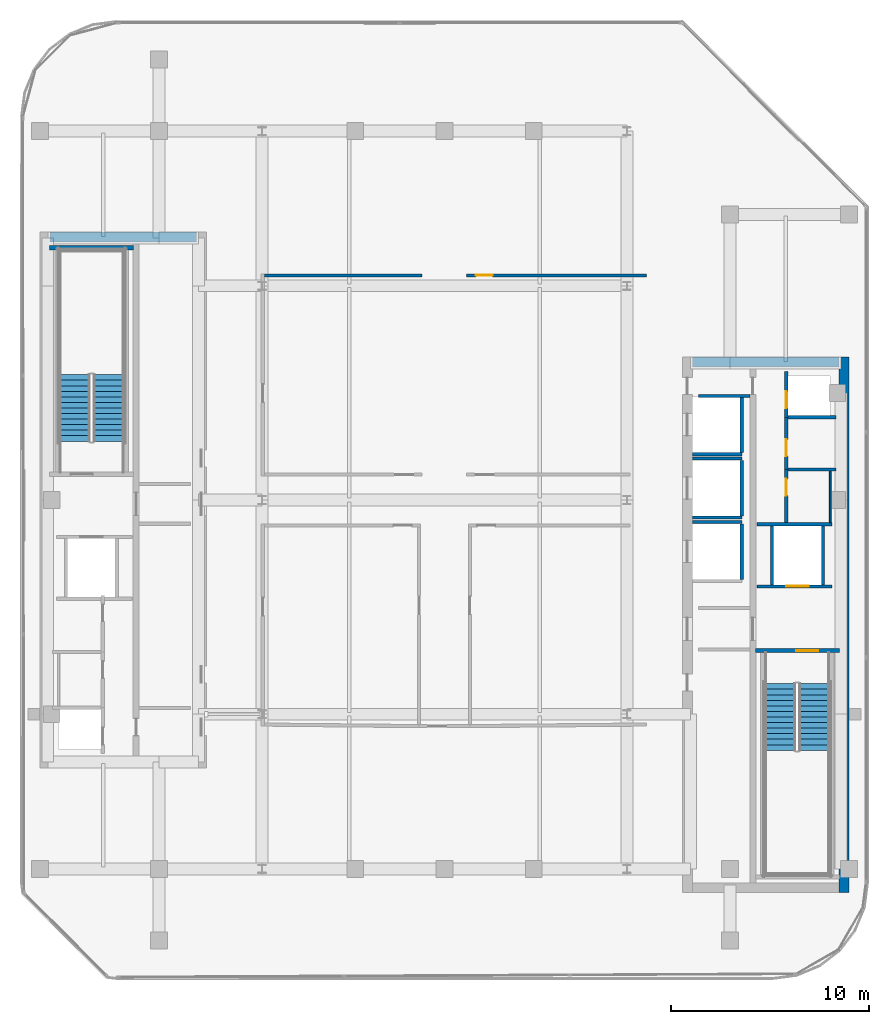
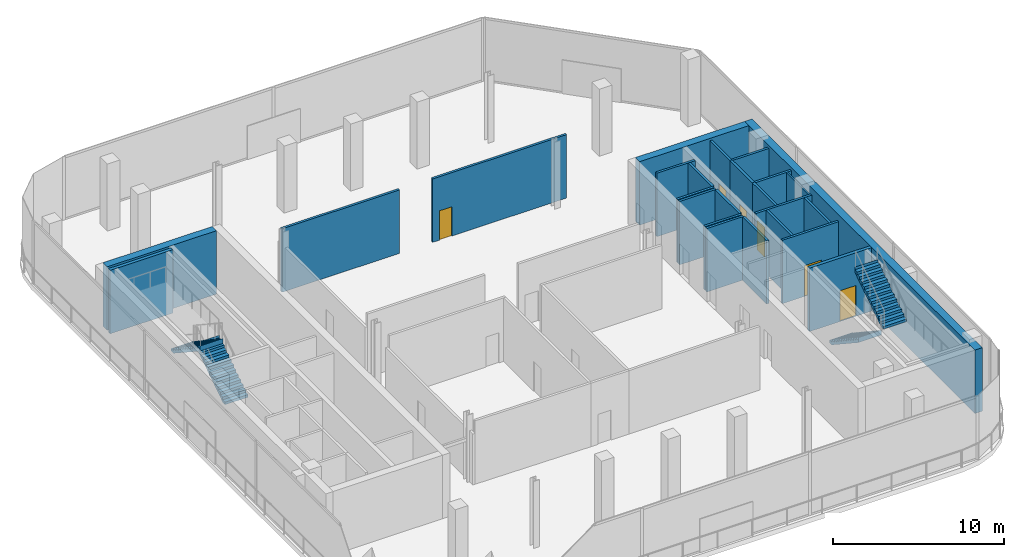
# One storey, part 4 of 13: 25 walls, 6 doors, 4 stair flights, 6 openings, 2 elements without a shape of their own.
"""IFC4 building model written with IfcOpenShell, lengths in metres."""

from ifc_helpers import new_model, si_unit, direction, frame, frame_2d, origin, place, context, subcontext, project, spatial, polyline, rectangle, outline, extrude, material, layer, layer_set, type_object, element, fill, aggregate, save


model = new_model("IFC4")

# Units and contexts
model_context = context("Model", 3, precision=1e-05, world=origin(), true_north=direction((0.0, 1.0)))
body_context = subcontext(model_context, "Body", "Model", "MODEL_VIEW")
ifc_project = project(units=[si_unit("LENGTHUNIT", "METRE"), si_unit("AREAUNIT", "SQUARE_METRE"), si_unit("VOLUMEUNIT", "CUBIC_METRE"), si_unit("PLANEANGLEUNIT", "RADIAN"), si_unit("MASSUNIT", "GRAM", prefix="KILO")], contexts=[model_context])

# Site, building, storey
site_placement = place(None, origin())
site = spatial("IfcSite", under=ifc_project, at=site_placement, CompositionType="ELEMENT")
building_placement = place(site_placement, origin())
building = spatial("IfcBuilding", under=site, at=building_placement, Name="Khairoan Windgate Tower", CompositionType="ELEMENT")
storey_placement = place(building_placement, frame((0.0, 0.0, 272.800048828125)))
storey = spatial("IfcBuildingStorey", under=building, at=storey_placement, Name="L65", CompositionType="ELEMENT", Elevation=272.800048828125)

# Walls
ifc_material_1 = material(Name="Moisture-Resistant Gypsum Partition", Category="gypsum")
ifc_layer_1 = layer(ifc_material_1, 0.10009765625, Name="Moisture-Resistant Gypsum Partition")
ifc_layer_set_1 = layer_set([ifc_layer_1], Name="Moisture-Resistant Gypsum Partition")
wall_type_1 = type_object("IfcWallType", Name="Bathroom Wet-Area Partition Wall", PredefinedType="PARTITIONING", material=ifc_layer_set_1)
wall_1_placement = place(storey_placement, frame((19.449951171875, 1.449951171875, 0.0), z_axis=(0.0, 0.0, 1.0), x_axis=(0.0, -1.0, 0.0)))
element("IfcWall", 1, at=wall_1_placement, inside=storey, type_object=wall_type_1, Name="L65 Wet Room Side Wall 025", PredefinedType="PARTITIONING", context=body_context, shape_type="SweptSolid", body=[
    extrude(rectangle(XDim=2.58984375, YDim=0.10009765625, at=frame_2d((1.294921875, 0.0))), origin(), (0.0, 0.0, 1.0), 4.5400390625),
])
ifc_material_2 = material(Name="Concrete C40/50", Category="concrete")
ifc_layer_2 = layer(ifc_material_2, 0.159912109375, Name="Concrete C40/50")
ifc_layer_set_2 = layer_set([ifc_layer_2], Name="Concrete C40/50")
wall_type_2 = type_object("IfcWallType", Name="Core and Hoistway Enclosure Wall", PredefinedType="STANDARD", material=ifc_layer_set_2)
wall_2_placement = place(storey_placement, frame((12.5, 2.31005859375, 0.0), z_axis=(0.0, 0.0, 1.0), x_axis=(1.0, 0.0, 0.0)))
element("IfcWall", 2, at=wall_2_placement, inside=storey, type_object=wall_type_2, Name="L65 Lift PL7 Hoistway Divider S", PredefinedType="STANDARD", context=body_context, shape_type="SweptSolid", body=[
    extrude(rectangle(XDim=2.489990234375, YDim=0.159912109375, at=frame_2d((1.2451171875, 0.0))), origin(), (0.0, 0.0, 1.0), 4.5400390625),
])
wall_3_placement = place(storey_placement, frame((14.989990234375, 2.39990234375, 0.0), z_axis=(0.0, 0.0, 1.0), x_axis=(0.0, 1.0, 0.0)))
element("IfcWall", 3, at=wall_3_placement, inside=storey, type_object=wall_type_2, Name="L65 Lift PL7 Hoistway Back Wall", PredefinedType="STANDARD", context=body_context, shape_type="SweptSolid", body=[
    extrude(rectangle(XDim=2.800048828125, YDim=0.159912109375, at=frame_2d((1.39990234375, 0.0))), origin(), (0.0, 0.0, 1.0), 4.5400390625),
])
for number, where, z_axis, x_axis, name in (
    (4, (12.5, -0.889892578125, 0.0), (0.0, 0.0, 1.0), (1.0, 0.0, 0.0), "L65 Lift PL8 Hoistway Divider S"),
    (5, (12.5, 2.090087890625, 0.0), (0.0, 0.0, 1.0), (1.0, 0.0, 0.0), "L65 Lift PL8 Hoistway Divider N"),
):
    element("IfcWall", number, at=place(storey_placement, frame(where, z_axis=z_axis, x_axis=x_axis)), inside=storey, type_object=wall_type_2, Name=name, PredefinedType="STANDARD", context=body_context, shape_type="SweptSolid", body=[
        extrude(rectangle(XDim=2.489990234375, YDim=0.159912109375, at=frame_2d((1.2451171875, 0.0))), origin(), (0.0, 0.0, 1.0), 4.5400390625),
    ])
wall_4_placement = place(storey_placement, frame((14.989990234375, -0.800048828125, 0.0), z_axis=(0.0, 0.0, 1.0), x_axis=(0.0, 1.0, 0.0)))
element("IfcWall", 6, at=wall_4_placement, inside=storey, type_object=wall_type_2, Name="L65 Lift PL8 Hoistway Back Wall", PredefinedType="STANDARD", context=body_context, shape_type="SweptSolid", body=[
    extrude(rectangle(XDim=2.800048828125, YDim=0.159912109375, at=frame_2d((1.39990234375, 0.0))), origin(), (0.0, 0.0, 1.0), 4.5400390625),
])
wall_5_placement = place(storey_placement, frame((12.5, -1.110107421875, 0.0), z_axis=(0.0, 0.0, 1.0), x_axis=(1.0, 0.0, 0.0)))
element("IfcWall", 7, at=wall_5_placement, inside=storey, type_object=wall_type_2, Name="L65 Lift PL9 Hoistway Divider N", PredefinedType="STANDARD", context=body_context, shape_type="SweptSolid", body=[
    extrude(rectangle(XDim=2.489990234375, YDim=0.159912109375, at=frame_2d((1.2451171875, 0.0))), origin(), (0.0, 0.0, 1.0), 4.5400390625),
])
wall_6_placement = place(storey_placement, frame((14.989990234375, -4.0, 0.0), z_axis=(0.0, 0.0, 1.0), x_axis=(0.0, 1.0, 0.0)))
element("IfcWall", 8, at=wall_6_placement, inside=storey, type_object=wall_type_2, Name="L65 Lift PL9 Hoistway Back Wall", PredefinedType="STANDARD", context=body_context, shape_type="SweptSolid", body=[
    extrude(rectangle(XDim=2.800048828125, YDim=0.159912109375, at=frame_2d((1.39990234375, 0.0))), origin(), (0.0, 0.0, 1.0), 4.5400390625),
])

# Wall, opening, door
wall_7_placement = place(storey_placement, frame((15.75, -4.360107421875, 0.0), z_axis=(0.0, 0.0, 1.0), x_axis=(1.0, 0.0, 0.0)))
wall_7 = element("IfcWall", 9, at=wall_7_placement, inside=storey, type_object=wall_type_2, Name="L65 Core Shaft Wall SW-FL1-L65", PredefinedType="STANDARD", context=body_context, shape_type="SweptSolid", body=[
    extrude(rectangle(XDim=3.800048828125, YDim=0.159912109375, at=frame_2d((1.89990234375, 0.0))), origin(), (0.0, 0.0, 1.0), 4.5400390625),
])
opening_1_placement = place(wall_7_placement, frame((1.469970703125, 0.0, 0.0)))
opening_1 = element("IfcOpeningElement", 10, at=opening_1_placement, cuts=wall_7, Name="Opening LD-FL", PredefinedType="OPENING", context=body_context, shape_type="SweptSolid", body=[
    extrude(rectangle(XDim=1.14990234375, YDim=2.199951171875, at=frame_2d((0.574951171875, 1.10009765625))), frame((0.0, 0.08984375, 0.0), z_axis=(0.0, -1.0, 0.0), x_axis=(1.0, 0.0, 0.0)), (0.0, 0.0, 1.0), 0.179931640625),
])
ifc_material_3 = material(Name="Steel S355", Category="steel")
door_type_1 = type_object("IfcDoorType", Name="Firefighting Lift Sliding Landing Door LD-FL 1150x2200", OperationType="DOUBLE_DOOR_SLIDING", PredefinedType="DOOR", material=ifc_material_3)
door_1_placement = place(opening_1_placement, origin())
door_1 = element("IfcDoor", 11, at=door_1_placement, inside=storey, type_object=door_type_1, Name="L65 Firefighting Lift FL1 Landing Door", OperationType="DOUBLE_DOOR_SLIDING", OverallHeight=2.199951171875, OverallWidth=1.14990234375, PredefinedType="DOOR", context=body_context, shape_type="SweptSolid", body=[
    extrude(rectangle(XDim=1.14990234375, YDim=2.199951171875, at=frame_2d((0.574951171875, 1.10009765625))), frame((0.0, 0.02490234375, 0.0), z_axis=(0.0, -1.0, 0.0), x_axis=(1.0, 0.0, 0.0)), (0.0, 0.0, 1.0), 0.050048828125),
])
fill(opening_1, door_1)

# Walls
wall_8_placement = place(storey_placement, frame((15.75, -1.219970703125, 0.0), z_axis=(0.0, 0.0, 1.0), x_axis=(1.0, 0.0, 0.0)))
element("IfcWall", 12, at=wall_8_placement, inside=storey, type_object=wall_type_2, Name="L65 Core Shaft Wall SW-FL1T-L65", PredefinedType="STANDARD", context=body_context, shape_type="SweptSolid", body=[
    extrude(rectangle(XDim=3.800048828125, YDim=0.159912109375, at=frame_2d((1.89990234375, 0.0))), origin(), (0.0, 0.0, 1.0), 4.5400390625),
])
for number, where, z_axis, x_axis, name in (
    (13, (16.52001953125, -4.280029296875, 0.0), (0.0, 0.0, 1.0), (0.0, 1.0, 0.0), "L65 Core Shaft Wall SW-FL1W-L65"),
    (14, (19.080078125, -4.280029296875, 0.0), (0.0, 0.0, 1.0), (0.0, 1.0, 0.0), "L65 Core Shaft Wall SW-FL1E-L65"),
):
    element("IfcWall", number, at=place(storey_placement, frame(where, z_axis=z_axis, x_axis=x_axis)), inside=storey, type_object=wall_type_2, Name=name, PredefinedType="STANDARD", context=body_context, shape_type="SweptSolid", body=[
        extrude(rectangle(XDim=2.97998046875, YDim=0.159912109375, at=frame_2d((1.489990234375, 0.0))), origin(), (0.0, 0.0, 1.0), 4.5400390625),
    ])
wall_9_placement = place(storey_placement, frame((12.800048828125, 5.25, 0.0), z_axis=(0.0, 0.0, 1.0), x_axis=(1.0, 0.0, 0.0)))
element("IfcWall", 15, at=wall_9_placement, inside=storey, type_object=wall_type_2, Name="L65 Core Shaft Wall SW-ESV-L65", PredefinedType="STANDARD", context=body_context, shape_type="SweptSolid", body=[
    extrude(rectangle(XDim=2.599853515625, YDim=0.159912109375, at=frame_2d((1.2998046875, 0.0))), origin(), (0.0, 0.0, 1.0), 4.5400390625),
])

# Wall, opening, door
ifc_material_4 = material(Name="Concrete C40/50", Category="concrete")
ifc_layer_3 = layer(ifc_material_4, 0.159912109375, Name="Concrete C40/50")
ifc_layer_set_3 = layer_set([ifc_layer_3], Name="Concrete C40/50")
wall_type_3 = type_object("IfcWallType", Name="Plant and Refuge Compartment Wall", PredefinedType="PARTITIONING", material=ifc_layer_set_3)
wall_10_placement = place(storey_placement, frame((17.22998046875, 4.169921875, 0.0), z_axis=(0.0, 0.0, 1.0), x_axis=(0.0, 1.0, 0.0)))
wall_10 = element("IfcWall", 16, at=wall_10_placement, inside=storey, type_object=wall_type_3, Name="L65 Interior Partition 006", PredefinedType="PARTITIONING", context=body_context, shape_type="SweptSolid", body=[
    extrude(rectangle(XDim=2.320068359375, YDim=0.159912109375, at=frame_2d((1.16015625, 0.0))), origin(), (0.0, 0.0, 1.0), 4.5400390625),
])
opening_2_placement = place(wall_10_placement, frame((0.4599609375, 0.0, 0.0)))
opening_2 = element("IfcOpeningElement", 17, at=opening_2_placement, cuts=wall_10, Name="Opening FD-SRV", PredefinedType="OPENING", context=body_context, shape_type="SweptSolid", body=[
    extrude(rectangle(XDim=0.85009765625, YDim=2.10009765625, at=frame_2d((0.425048828125, 1.050048828125))), frame((0.0, 0.08984375, 0.0), z_axis=(0.0, -1.0, 0.0), x_axis=(1.0, 0.0, 0.0)), (0.0, 0.0, 1.0), 0.179931640625),
])
ifc_material_5 = material(Name="Steel S355", Category="steel")
door_type_2 = type_object("IfcDoorType", Name="Core Service and Riser Fire Door FD-SRV 850x2100", OperationType="NOTDEFINED", PredefinedType="DOOR", material=ifc_material_5)
door_2_placement = place(opening_2_placement, origin())
door_2 = element("IfcDoor", 18, at=door_2_placement, inside=storey, type_object=door_type_2, Name="L65 L65-15-L65-16 Door", OperationType="SINGLE_SWING_RIGHT", OverallHeight=2.10009765625, OverallWidth=0.85009765625, PredefinedType="DOOR", context=body_context, shape_type="SweptSolid", body=[
    extrude(rectangle(XDim=0.85009765625, YDim=2.10009765625, at=frame_2d((0.425048828125, 1.050048828125))), frame((0.0, 0.02490234375, 0.0), z_axis=(0.0, -1.0, 0.0), x_axis=(1.0, 0.0, 0.0)), (0.0, 0.0, 1.0), 0.050048828125),
])
fill(opening_2, door_2)

wall_11_placement = place(storey_placement, frame((17.22998046875, -1.139892578125, 0.0), z_axis=(0.0, 0.0, 1.0), x_axis=(0.0, 1.0, 0.0)))
wall_11 = element("IfcWall", 19, at=wall_11_placement, inside=storey, type_object=wall_type_3, Name="L65 Interior Partition 007", PredefinedType="PARTITIONING", context=body_context, shape_type="SweptSolid", body=[
    extrude(rectangle(XDim=2.669921875, YDim=0.159912109375, at=frame_2d((1.3349609375, 0.0))), origin(), (0.0, 0.0, 1.0), 4.5400390625),
])
opening_3_placement = place(wall_11_placement, frame((1.360107421875, 0.0, 0.0)))
opening_3 = element("IfcOpeningElement", 20, at=opening_3_placement, cuts=wall_11, Name="Opening FD-SRV", PredefinedType="OPENING", context=body_context, shape_type="SweptSolid", body=[
    extrude(rectangle(XDim=0.85009765625, YDim=2.10009765625, at=frame_2d((0.425048828125, 1.050048828125))), frame((0.0, 0.08984375, 0.0), z_axis=(0.0, -1.0, 0.0), x_axis=(1.0, 0.0, 0.0)), (0.0, 0.0, 1.0), 0.179931640625),
])
door_3_placement = place(opening_3_placement, origin())
door_3 = element("IfcDoor", 21, at=door_3_placement, inside=storey, type_object=door_type_2, Name="L65 L65-15-L65-17 Door", OperationType="SINGLE_SWING_LEFT", OverallHeight=2.10009765625, OverallWidth=0.85009765625, PredefinedType="DOOR", context=body_context, shape_type="SweptSolid", body=[
    extrude(rectangle(XDim=0.85009765625, YDim=2.10009765625, at=frame_2d((0.425048828125, 1.050048828125))), frame((0.0, 0.02490234375, 0.0), z_axis=(0.0, -1.0, 0.0), x_axis=(1.0, 0.0, 0.0)), (0.0, 0.0, 1.0), 0.050048828125),
])
fill(opening_3, door_3)

wall_12_placement = place(storey_placement, frame((17.22998046875, 1.530029296875, 0.0), z_axis=(0.0, 0.0, 1.0), x_axis=(0.0, 1.0, 0.0)))
wall_12 = element("IfcWall", 22, at=wall_12_placement, inside=storey, type_object=wall_type_3, Name="L65 Interior Partition 008", PredefinedType="PARTITIONING", context=body_context, shape_type="SweptSolid", body=[
    extrude(rectangle(XDim=2.639892578125, YDim=0.159912109375, at=frame_2d((1.31982421875, 0.0))), origin(), (0.0, 0.0, 1.0), 4.5400390625),
])
opening_4_placement = place(wall_12_placement, frame((0.677490234375, 0.0, 0.0)))
opening_4 = element("IfcOpeningElement", 23, at=opening_4_placement, cuts=wall_12, Name="Opening FD-SRV", PredefinedType="OPENING", context=body_context, shape_type="SweptSolid", body=[
    extrude(rectangle(XDim=0.85009765625, YDim=2.10009765625, at=frame_2d((0.425048828125, 1.050048828125))), frame((0.0, 0.08984375, 0.0), z_axis=(0.0, -1.0, 0.0), x_axis=(1.0, 0.0, 0.0)), (0.0, 0.0, 1.0), 0.179931640625),
])
door_4_placement = place(opening_4_placement, origin())
door_4 = element("IfcDoor", 24, at=door_4_placement, inside=storey, type_object=door_type_2, Name="L65 L65-15-L65-18 Door", OperationType="SINGLE_SWING_RIGHT", OverallHeight=2.10009765625, OverallWidth=0.85009765625, PredefinedType="DOOR", context=body_context, shape_type="SweptSolid", body=[
    extrude(rectangle(XDim=0.85009765625, YDim=2.10009765625, at=frame_2d((0.425048828125, 1.050048828125))), frame((0.0, 0.02490234375, 0.0), z_axis=(0.0, -1.0, 0.0), x_axis=(1.0, 0.0, 0.0)), (0.0, 0.0, 1.0), 0.050048828125),
])
fill(opening_4, door_4)

# Walls
for number, where, z_axis, x_axis, name in (
    (25, (17.31005859375, 4.169921875, 0.0), (0.0, 0.0, 1.0), (1.0, 0.0, 0.0), "L65 Interior Partition 009"),
    (26, (17.31005859375, 1.530029296875, 0.0), (0.0, 0.0, 1.0), (1.0, 0.0, 0.0), "L65 Interior Partition 010"),
):
    element("IfcWall", number, at=place(storey_placement, frame(where, z_axis=z_axis, x_axis=x_axis)), inside=storey, type_object=wall_type_3, Name=name, PredefinedType="PARTITIONING", context=body_context, shape_type="SweptSolid", body=[
        extrude(rectangle(XDim=2.43994140625, YDim=0.159912109375, at=frame_2d((1.219970703125, 0.0))), origin(), (0.0, 0.0, 1.0), 4.5400390625),
    ])
wall_13_placement = place(storey_placement, frame((-9.080078125, 11.320068359375, 0.0), z_axis=(0.0, 0.0, 1.0), x_axis=(1.0, 0.0, 0.0)))
element("IfcWall", 27, at=wall_13_placement, inside=storey, type_object=wall_type_3, Name="L65 Interior Partition 020", PredefinedType="PARTITIONING", context=body_context, shape_type="SweptSolid", body=[
    extrude(rectangle(XDim=7.9599609375, YDim=0.159912109375, at=frame_2d((3.97998046875, 0.0))), origin(), (0.0, 0.0, 1.0), 4.5400390625),
])

# Wall, opening, door
wall_14_placement = place(storey_placement, frame((1.1201171875, 11.320068359375, 0.0), z_axis=(0.0, 0.0, 1.0), x_axis=(1.0, 0.0, 0.0)))
wall_14 = element("IfcWall", 28, at=wall_14_placement, inside=storey, type_object=wall_type_3, Name="L65 Interior Partition 021", PredefinedType="PARTITIONING", context=body_context, shape_type="SweptSolid", body=[
    extrude(rectangle(XDim=9.06982421875, YDim=0.159912109375, at=frame_2d((4.534912109375, 0.0))), origin(), (0.0, 0.0, 1.0), 4.5400390625),
])
opening_5_placement = place(wall_14_placement, frame((0.4599609375, 0.0, 0.0)))
opening_5 = element("IfcOpeningElement", 29, at=opening_5_placement, cuts=wall_14, Name="Opening FD-SRV", PredefinedType="OPENING", context=body_context, shape_type="SweptSolid", body=[
    extrude(rectangle(XDim=0.85009765625, YDim=2.10009765625, at=frame_2d((0.425048828125, 1.050048828125))), frame((0.0, 0.08984375, 0.0), z_axis=(0.0, -1.0, 0.0), x_axis=(1.0, 0.0, 0.0)), (0.0, 0.0, 1.0), 0.179931640625),
])
door_5_placement = place(opening_5_placement, origin())
door_5 = element("IfcDoor", 30, at=door_5_placement, inside=storey, type_object=door_type_2, Name="L65 L65-29-L65-32 Door", OperationType="SINGLE_SWING_RIGHT", OverallHeight=2.10009765625, OverallWidth=0.85009765625, PredefinedType="DOOR", context=body_context, shape_type="SweptSolid", body=[
    extrude(rectangle(XDim=0.85009765625, YDim=2.10009765625, at=frame_2d((0.425048828125, 1.050048828125))), frame((0.0, 0.02490234375, 0.0), z_axis=(0.0, -1.0, 0.0), x_axis=(1.0, 0.0, 0.0)), (0.0, 0.0, 1.0), 0.050048828125),
])
fill(opening_5, door_5)

# Walls
ifc_material_6 = material(Name="Concrete C50/60", Category="concrete")
ifc_layer_4 = layer(ifc_material_6, 0.5, Name="Concrete C50/60")
ifc_layer_set_4 = layer_set([ifc_layer_4], Name="Concrete C50/60")
wall_type_4 = type_object("IfcWallType", Name="Shear Wall CW-E3 500mm", PredefinedType="SHEAR", material=ifc_layer_set_4)
wall_15_placement = place(storey_placement, frame((20.14990234375, -19.800048828125, 0.0), z_axis=(0.0, 0.0, 1.0), x_axis=(0.0, 1.0, 0.0)))
element("IfcWall", 31, at=wall_15_placement, inside=storey, type_object=wall_type_4, Name="E Core East Shear Wall L65", PredefinedType="SHEAR", context=body_context, shape_type="SweptSolid", body=[
    extrude(rectangle(XDim=27.0, YDim=0.5, at=frame_2d((13.5, 0.0))), origin(), (0.0, 0.0, 1.0), 4.5400390625),
])
wall_16_placement = place(storey_placement, frame((12.5, 6.949951171875, 0.0), z_axis=(0.0, 0.0, 1.0), x_axis=(1.0, 0.0, 0.0)))
element("IfcWall", 32, at=wall_16_placement, inside=storey, type_object=wall_type_4, Name="E Core North Shear Wall L65", PredefinedType="SHEAR", context=body_context, shape_type="SweptSolid", body=[
    extrude(rectangle(XDim=7.39990234375, YDim=0.5, at=frame_2d((3.699951171875, 0.0))), origin(), (0.0, 0.0, 1.0), 4.5400390625),
])
ifc_material_7 = material(Name="Concrete C50/60", Category="concrete")
ifc_layer_5 = layer(ifc_material_7, 0.5, Name="Concrete C50/60")
ifc_layer_set_5 = layer_set([ifc_layer_5], Name="Concrete C50/60")
wall_type_5 = type_object("IfcWallType", Name="Shear Wall CW-W3 500mm", PredefinedType="SHEAR", material=ifc_layer_set_5)
wall_17_placement = place(storey_placement, frame((-19.89990234375, 13.25, 0.0), z_axis=(0.0, 0.0, 1.0), x_axis=(1.0, 0.0, 0.0)))
element("IfcWall", 33, at=wall_17_placement, inside=storey, type_object=wall_type_5, Name="W Core North Shear Wall L65", PredefinedType="SHEAR", context=body_context, shape_type="SweptSolid", body=[
    extrude(rectangle(XDim=7.39990234375, YDim=0.5, at=frame_2d((3.699951171875, 0.0))), origin(), (0.0, 0.0, 1.0), 4.5400390625),
])

# Wall, opening, door
ifc_material_8 = material(Name="Concrete C50/60", Category="concrete")
ifc_layer_6 = layer(ifc_material_8, 0.219970703125, Name="Concrete C50/60")
ifc_layer_set_6 = layer_set([ifc_layer_6], Name="Concrete C50/60")
wall_type_6 = type_object("IfcWallType", Name="Shear Wall SW-ST 220mm", PredefinedType="SHEAR", material=ifc_layer_set_6)
wall_18_placement = place(storey_placement, frame((19.919921875, -7.590087890625, 0.0), z_axis=(0.0, 0.0, 1.0), x_axis=(-1.0, 0.0, 0.0)))
wall_18 = element("IfcWall", 34, at=wall_18_placement, inside=storey, type_object=wall_type_6, Name="L65 Stair ST1 North Bearing Wall", PredefinedType="SHEAR", context=body_context, shape_type="SweptSolid", body=[
    extrude(rectangle(XDim=4.239990234375, YDim=0.219970703125, at=frame_2d((2.1201171875, 0.0))), origin(), (0.0, 0.0, 1.0), 4.5400390625),
])
opening_6_placement = place(wall_18_placement, frame((1.080078125, 0.0, 0.0)))
opening_6 = element("IfcOpeningElement", 35, at=opening_6_placement, cuts=wall_18, Name="Opening FD-ST", PredefinedType="OPENING", context=body_context, shape_type="SweptSolid", body=[
    extrude(rectangle(XDim=1.10009765625, YDim=2.199951171875, at=frame_2d((0.550048828125, 1.10009765625))), frame((0.0, 0.119873046875, 0.0), z_axis=(0.0, -1.0, 0.0), x_axis=(1.0, 0.0, 0.0)), (0.0, 0.0, 1.0), 0.239990234375),
])
ifc_material_9 = material(Name="Steel S355", Category="steel")
door_type_3 = type_object("IfcDoorType", Name="Smokeproof Stair Fire Door FD-ST 1100x2200", OperationType="NOTDEFINED", PredefinedType="DOOR", material=ifc_material_9)
door_6_placement = place(opening_6_placement, origin())
door_6 = element("IfcDoor", 36, at=door_6_placement, inside=storey, type_object=door_type_3, Name="L65 Stair ST1 Fire Door", OperationType="SINGLE_SWING_RIGHT", OverallHeight=2.199951171875, OverallWidth=1.10009765625, PredefinedType="DOOR", context=body_context, shape_type="SweptSolid", body=[
    extrude(rectangle(XDim=1.10009765625, YDim=2.199951171875, at=frame_2d((0.550048828125, 1.10009765625))), frame((0.0, 0.02490234375, 0.0), z_axis=(0.0, -1.0, 0.0), x_axis=(1.0, 0.0, 0.0)), (0.0, 0.0, 1.0), 0.050048828125),
])
fill(opening_6, door_6)

# Wall
wall_19_placement = place(storey_placement, frame((-19.919921875, 12.7099609375, 0.0), z_axis=(0.0, 0.0, 1.0), x_axis=(1.0, 0.0, 0.0)))
element("IfcWall", 37, at=wall_19_placement, inside=storey, type_object=wall_type_6, Name="L65 Stair ST2 North Bearing Wall", PredefinedType="SHEAR", context=body_context, shape_type="SweptSolid", body=[
    extrude(rectangle(XDim=4.239990234375, YDim=0.219970703125, at=frame_2d((2.1201171875, 0.0))), origin(), (0.0, 0.0, 1.0), 4.5400390625),
])

# Stair, stair flights
ifc_material_10 = material(Name="Concrete C40/50", Category="concrete")
stair_type = type_object("IfcStairType", Name="Tower Core Dog-Leg Stair ST-T1 1560mm", PredefinedType="HALF_TURN_STAIR", material=ifc_material_10)
stair_1_placement = place(storey_placement, origin())
stair_1 = element("IfcStair", 38, at=stair_1_placement, inside=storey, type_object=stair_type, Name="L65 Stair ST1", PredefinedType="HALF_TURN_STAIR")
ifc_material_11 = material(Name="Concrete C40/50", Category="concrete")
ifc_layer_7 = layer(ifc_material_11, 0.14990234375, Name="Concrete C40/50")
ifc_layer_set_7 = layer_set([ifc_layer_7], Name="Concrete C40/50")
stair_flight_type = type_object("IfcStairFlightType", Name="Tower Core Stair Flight STF-1560", PredefinedType="STRAIGHT", material=ifc_layer_set_7)
stair_flight_1_placement = place(storey_placement, frame((16.929931640625, -9.260009765625, 0.0), z_axis=(0.0, 0.0, 1.0), x_axis=(0.0, -1.0, 0.0)))
stair_flight_1 = element("IfcStairFlight", 39, at=stair_flight_1_placement, type_object=stair_flight_type, Name="ST1 flight 1", NumberOfRisers=13, NumberOfTreads=12, PredefinedType="STRAIGHT", RiserHeight=0.184615385, TreadLength=0.28, context=body_context, shape_type="SweptSolid", body=[
    extrude(outline(polyline([(-0.00390625, 0.0), (-0.00390625, 0.1845703125), (0.0, 0.1845703125), (0.280029296875, 0.1845703125), (0.280029296875, 0.369140625), (0.56005859375, 0.369140625), (0.56005859375, 0.553955078125), (0.840087890625, 0.553955078125), (0.840087890625, 0.738525390625), (1.1201171875, 0.738525390625), (1.1201171875, 0.923095703125), (1.39990234375, 0.923095703125), (1.39990234375, 1.107666015625), (1.679931640625, 1.107666015625), (1.679931640625, 1.292236328125), (1.9599609375, 1.292236328125), (1.9599609375, 1.476806640625), (2.239990234375, 1.476806640625), (2.239990234375, 1.66162109375), (2.52001953125, 1.66162109375), (2.52001953125, 1.84619140625), (2.800048828125, 1.84619140625), (2.800048828125, 2.03076171875), (3.080078125, 2.03076171875), (3.080078125, 2.21533203125), (3.360107421875, 2.21533203125), (3.360107421875, 2.39990234375), (3.364013671875, 2.39990234375), (3.364013671875, 2.035888671875), (0.272216796875, 0.0), (-0.00390625, 0.0)])), frame((0.0, 0.780029296875, 0.0), z_axis=(0.0, -1.0, 0.0), x_axis=(1.0, 0.0, 0.0)), (0.0, 0.0, 1.0), 1.56005859375),
])
stair_flight_2_placement = place(storey_placement, frame((18.639892578125, -12.6201171875, 2.39990234375), z_axis=(0.0, 0.0, 1.0), x_axis=(0.0, 1.0, 0.0)))
stair_flight_2 = element("IfcStairFlight", 40, at=stair_flight_2_placement, type_object=stair_flight_type, Name="ST1 flight 2", NumberOfRisers=13, NumberOfTreads=12, PredefinedType="STRAIGHT", RiserHeight=0.184615385, TreadLength=0.28, context=body_context, shape_type="SweptSolid", body=[
    extrude(outline(polyline([(-0.00390625, 0.0), (-0.00390625, 0.1845703125), (0.0, 0.1845703125), (0.280029296875, 0.1845703125), (0.280029296875, 0.369140625), (0.56005859375, 0.369140625), (0.56005859375, 0.553955078125), (0.840087890625, 0.553955078125), (0.840087890625, 0.738525390625), (1.1201171875, 0.738525390625), (1.1201171875, 0.923095703125), (1.39990234375, 0.923095703125), (1.39990234375, 1.107666015625), (1.679931640625, 1.107666015625), (1.679931640625, 1.292236328125), (1.9599609375, 1.292236328125), (1.9599609375, 1.476806640625), (2.239990234375, 1.476806640625), (2.239990234375, 1.66162109375), (2.52001953125, 1.66162109375), (2.52001953125, 1.84619140625), (2.800048828125, 1.84619140625), (2.800048828125, 2.03076171875), (3.080078125, 2.03076171875), (3.080078125, 2.21533203125), (3.360107421875, 2.21533203125), (3.360107421875, 2.39990234375), (3.364013671875, 2.39990234375), (3.364013671875, 2.035888671875), (0.272216796875, 0.0), (-0.00390625, 0.0)])), frame((0.0, 0.780029296875, 0.0), z_axis=(0.0, -1.0, 0.0), x_axis=(1.0, 0.0, 0.0)), (0.0, 0.0, 1.0), 1.56005859375),
])
aggregate(stair_1, [stair_flight_1, stair_flight_2])

stair_2_placement = place(storey_placement, origin())
stair_2 = element("IfcStair", 41, at=stair_2_placement, inside=storey, type_object=stair_type, Name="L65 Stair ST2", PredefinedType="HALF_TURN_STAIR")
stair_flight_3_placement = place(storey_placement, frame((-16.929931640625, 2.9599609375, 0.0), z_axis=(0.0, 0.0, 1.0), x_axis=(0.0, 1.0, 0.0)))
stair_flight_3 = element("IfcStairFlight", 42, at=stair_flight_3_placement, type_object=stair_flight_type, Name="ST2 flight 1", NumberOfRisers=13, NumberOfTreads=12, PredefinedType="STRAIGHT", RiserHeight=0.184615385, TreadLength=0.28, context=body_context, shape_type="SweptSolid", body=[
    extrude(outline(polyline([(-0.00390625, 0.0), (-0.00390625, 0.1845703125), (0.0, 0.1845703125), (0.280029296875, 0.1845703125), (0.280029296875, 0.369140625), (0.56005859375, 0.369140625), (0.56005859375, 0.553955078125), (0.840087890625, 0.553955078125), (0.840087890625, 0.738525390625), (1.1201171875, 0.738525390625), (1.1201171875, 0.923095703125), (1.39990234375, 0.923095703125), (1.39990234375, 1.107666015625), (1.679931640625, 1.107666015625), (1.679931640625, 1.292236328125), (1.9599609375, 1.292236328125), (1.9599609375, 1.476806640625), (2.239990234375, 1.476806640625), (2.239990234375, 1.66162109375), (2.52001953125, 1.66162109375), (2.52001953125, 1.84619140625), (2.800048828125, 1.84619140625), (2.800048828125, 2.03076171875), (3.080078125, 2.03076171875), (3.080078125, 2.21533203125), (3.360107421875, 2.21533203125), (3.360107421875, 2.39990234375), (3.364013671875, 2.39990234375), (3.364013671875, 2.035888671875), (0.272216796875, 0.0), (-0.00390625, 0.0)])), frame((0.0, 0.780029296875, 0.0), z_axis=(0.0, -1.0, 0.0), x_axis=(1.0, 0.0, 0.0)), (0.0, 0.0, 1.0), 1.56005859375),
])
stair_flight_4_placement = place(storey_placement, frame((-18.639892578125, 6.320068359375, 2.39990234375), z_axis=(0.0, 0.0, 1.0), x_axis=(0.0, -1.0, 0.0)))
stair_flight_4 = element("IfcStairFlight", 43, at=stair_flight_4_placement, type_object=stair_flight_type, Name="ST2 flight 2", NumberOfRisers=13, NumberOfTreads=12, PredefinedType="STRAIGHT", RiserHeight=0.184615385, TreadLength=0.28, context=body_context, shape_type="SweptSolid", body=[
    extrude(outline(polyline([(-0.00390625, 0.0), (-0.00390625, 0.1845703125), (0.0, 0.1845703125), (0.280029296875, 0.1845703125), (0.280029296875, 0.369140625), (0.56005859375, 0.369140625), (0.56005859375, 0.553955078125), (0.840087890625, 0.553955078125), (0.840087890625, 0.738525390625), (1.1201171875, 0.738525390625), (1.1201171875, 0.923095703125), (1.39990234375, 0.923095703125), (1.39990234375, 1.107666015625), (1.679931640625, 1.107666015625), (1.679931640625, 1.292236328125), (1.9599609375, 1.292236328125), (1.9599609375, 1.476806640625), (2.239990234375, 1.476806640625), (2.239990234375, 1.66162109375), (2.52001953125, 1.66162109375), (2.52001953125, 1.84619140625), (2.800048828125, 1.84619140625), (2.800048828125, 2.03076171875), (3.080078125, 2.03076171875), (3.080078125, 2.21533203125), (3.360107421875, 2.21533203125), (3.360107421875, 2.39990234375), (3.364013671875, 2.39990234375), (3.364013671875, 2.035888671875), (0.272216796875, 0.0), (-0.00390625, 0.0)])), frame((0.0, 0.780029296875, 0.0), z_axis=(0.0, -1.0, 0.0), x_axis=(1.0, 0.0, 0.0)), (0.0, 0.0, 1.0), 1.56005859375),
])
aggregate(stair_2, [stair_flight_3, stair_flight_4])

save(model, "model.ifc")
